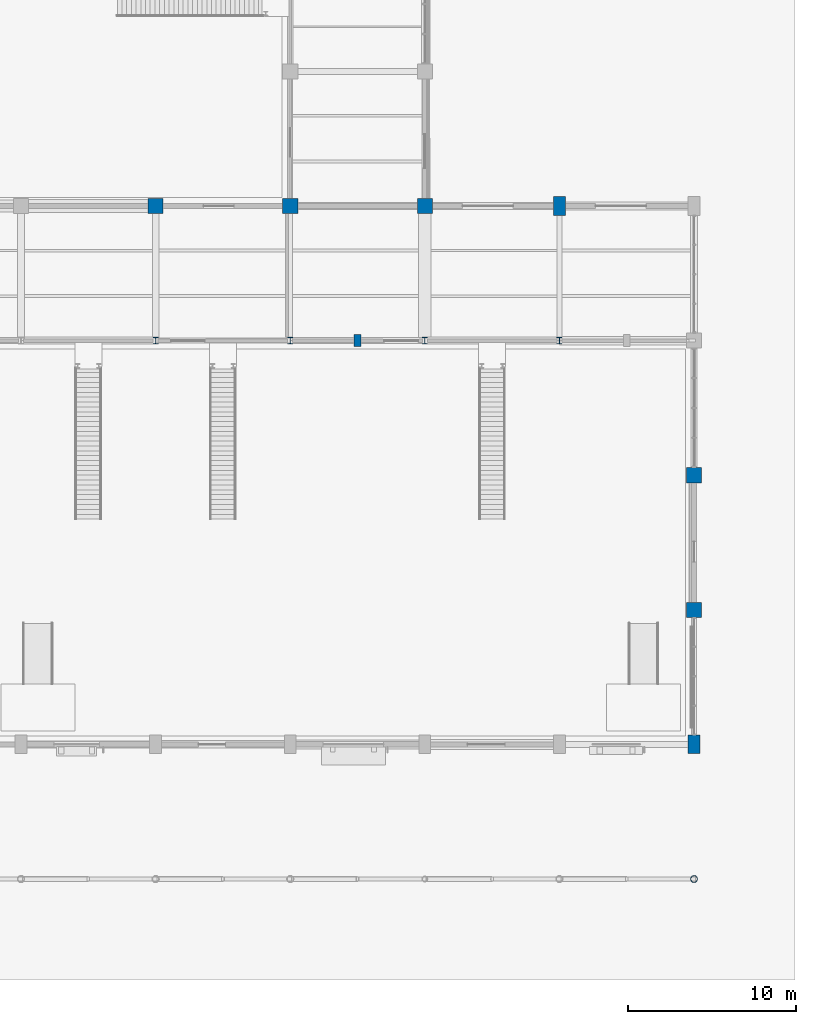
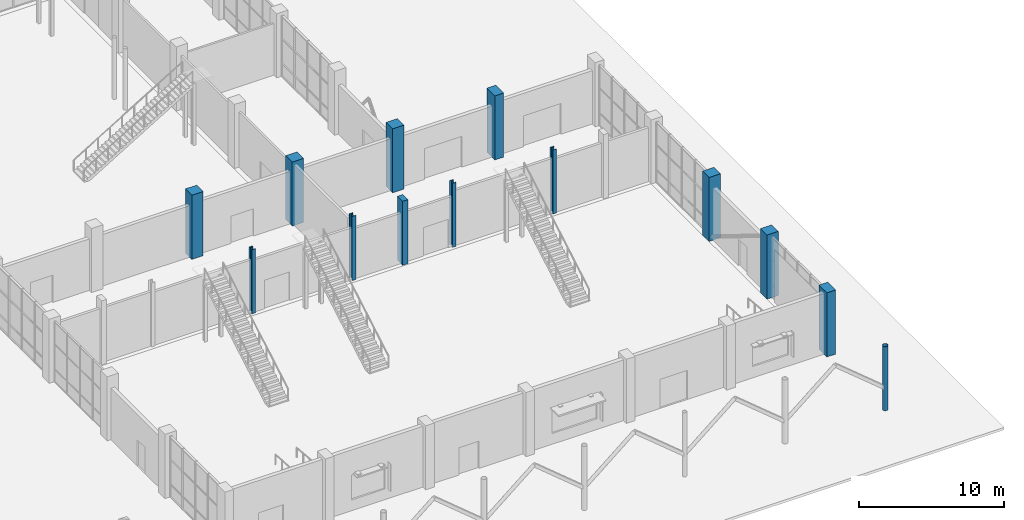
# One storey, part 14 of 123: 13 columns.
"""IFC4 building model written with IfcOpenShell, lengths in metres."""

from ifc_helpers import new_model, si_unit, direction, frame, origin, origin_2d, place, context, subcontext, project, spatial, rectangle, hollow_circle, i_section, extrude, material, material_profile, profile_set, type_object, element, save


model = new_model("IFC4")

# Units and contexts
model_context = context("Model", 3, precision=1e-05, world=origin(), true_north=direction((0.0, 1.0)))
body_context = subcontext(model_context, "Body", "Model", "MODEL_VIEW")
ifc_project = project(units=[si_unit("LENGTHUNIT", "METRE"), si_unit("AREAUNIT", "SQUARE_METRE"), si_unit("VOLUMEUNIT", "CUBIC_METRE"), si_unit("PLANEANGLEUNIT", "RADIAN"), si_unit("MASSUNIT", "GRAM", prefix="KILO")], contexts=[model_context])

# Site, building, storey
site_placement = place(None, origin())
site = spatial("IfcSite", under=ifc_project, at=site_placement, CompositionType="ELEMENT")
building_placement = place(site_placement, origin())
building = spatial("IfcBuilding", under=site, at=building_placement, Name="Tenunan Teduh Sports Hall", CompositionType="ELEMENT")
storey_placement = place(building_placement, origin())
storey = spatial("IfcBuildingStorey", under=building, at=storey_placement, Name="L00", CompositionType="ELEMENT", Elevation=0.0)

# Columns
ifc_material_1 = material(Name="Concrete C40/50", Category="concrete")
ifc_material_profile_1 = material_profile(ifc_material_1, rectangle(XDim=0.699951171875, YDim=1.10009765625, at=origin_2d()), Name="RC 700x1100")
ifc_profile_set_1 = profile_set([ifc_material_profile_1], Name="Concrete C40/50")
column_type_1 = type_object("IfcColumnType", Name="COL-RC-700x1100", PredefinedType="COLUMN", material=ifc_profile_set_1)
for number, where, z_axis, x_axis, name in (
    (1, (162.0, 46.0, 0.0), (0.0, 0.0, 1.0), (1.0, 0.0, 0.0), "COL-C-15-L00-215"),
    (2, (170.0, 14.0, 0.0), (0.0, 0.0, 1.0), (1.0, 0.0, 0.0), "COL-C-15-L00-221"),
):
    element("IfcColumn", number, at=place(storey_placement, frame(where, z_axis=z_axis, x_axis=x_axis)), inside=storey, type_object=column_type_1, Name=name, PredefinedType="COLUMN", context=body_context, shape_type="SweptSolid", body=[
        extrude(rectangle(XDim=0.699951171875, YDim=1.10009765625, at=origin_2d()), origin(), (0.0, 0.0, 1.0), 5.39990234375),
    ])
ifc_material_2 = material(Name="Concrete C40/50", Category="concrete")
ifc_material_profile_2 = material_profile(ifc_material_2, rectangle(XDim=0.89990234375, YDim=0.89990234375, at=origin_2d()), Name="RC 900x900")
ifc_profile_set_2 = profile_set([ifc_material_profile_2], Name="Concrete C40/50")
column_type_2 = type_object("IfcColumnType", Name="COL-RC-900", PredefinedType="COLUMN", material=ifc_profile_set_2)
for number, where, z_axis, x_axis, name in (
    (3, (138.0, 46.0, 0.0), (0.0, 0.0, 1.0), (1.0, 0.0, 0.0), "COL-C-03-L00-179"),
    (4, (146.0, 46.0, 0.0), (0.0, 0.0, 1.0), (1.0, 0.0, 0.0), "COL-C-03-L00-189"),
    (5, (154.0, 46.0, 0.0), (0.0, 0.0, 1.0), (1.0, 0.0, 0.0), "COL-C-03-L00-202"),
    (6, (170.0, 22.0, 0.0), (0.0, 0.0, 1.0), (1.0, 0.0, 0.0), "COL-C-03-L00-222"),
    (7, (170.0, 30.0, 0.0), (0.0, 0.0, 1.0), (1.0, 0.0, 0.0), "COL-C-03-L00-223"),
):
    element("IfcColumn", number, at=place(storey_placement, frame(where, z_axis=z_axis, x_axis=x_axis)), inside=storey, type_object=column_type_2, Name=name, PredefinedType="COLUMN", context=body_context, shape_type="SweptSolid", body=[
        extrude(rectangle(XDim=0.89990234375, YDim=0.89990234375, at=origin_2d()), origin(), (0.0, 0.0, 1.0), 5.39990234375),
    ])
ifc_material_3 = material(Name="Steel S355", Category="steel")
ifc_material_profile_3 = material_profile(ifc_material_3, hollow_circle(Radius=0.203125, WallThickness=0.01611328125, at=origin_2d()), Name="CHS 406.4x16.0")
ifc_profile_set_3 = profile_set([ifc_material_profile_3], Name="Steel S355")
column_type_3 = type_object("IfcColumnType", Name="COL-ST-CHS406", PredefinedType="COLUMN", material=ifc_profile_set_3)
column_1_placement = place(storey_placement, frame((170.0, 6.0, 0.0), z_axis=(0.0, 0.0, 1.0), x_axis=(1.0, 0.0, 0.0)))
element("IfcColumn", 8, at=column_1_placement, inside=storey, type_object=column_type_3, Name="COL-SC-05-L00-220", PredefinedType="COLUMN", context=body_context, shape_type="SweptSolid", body=[
    extrude(hollow_circle(Radius=0.203125, WallThickness=0.01611328125, at=origin_2d()), origin(), (0.0, 0.0, 1.0), 5.39990234375),
])
ifc_material_4 = material(Name="Steel S355", Category="steel")
ifc_material_profile_4 = material_profile(ifc_material_4, i_section(OverallWidth=0.300048828125, OverallDepth=0.39990234375, WebThickness=0.013427734375, FlangeThickness=0.02392578125, FilletRadius=0.027099609375, at=origin_2d()), Name="HEB 400")
ifc_profile_set_4 = profile_set([ifc_material_profile_4], Name="Steel S355")
column_type_4 = type_object("IfcColumnType", Name="COL-ST-HEB400", PredefinedType="COLUMN", material=ifc_profile_set_4)
for number, where, z_axis, x_axis, name in (
    (9, (138.0, 38.0, 0.0), (0.0, 0.0, 1.0), (1.0, 0.0, 0.0), "COL-SC-01-L00-178"),
    (10, (146.0, 38.0, 0.0), (0.0, 0.0, 1.0), (1.0, 0.0, 0.0), "COL-SC-01-L00-188"),
    (11, (154.0, 38.0, 0.0), (0.0, 0.0, 1.0), (1.0, 0.0, 0.0), "COL-SC-01-L00-201"),
    (12, (162.0, 38.0, 0.0), (0.0, 0.0, 1.0), (1.0, 0.0, 0.0), "COL-SC-01-L00-214"),
):
    element("IfcColumn", number, at=place(storey_placement, frame(where, z_axis=z_axis, x_axis=x_axis)), inside=storey, type_object=column_type_4, Name=name, PredefinedType="COLUMN", context=body_context, shape_type="SweptSolid", body=[
        extrude(i_section(OverallWidth=0.300048828125, OverallDepth=0.39990234375, WebThickness=0.013427734375, FlangeThickness=0.02392578125, FilletRadius=0.027099609375, at=origin_2d()), origin(), (0.0, 0.0, 1.0), 5.39990234375),
    ])
ifc_material_5 = material(Name="Concrete C40/50", Category="concrete")
ifc_material_profile_5 = material_profile(ifc_material_5, rectangle(XDim=0.39990234375, YDim=0.699951171875, at=origin_2d()), Name="PIL 400x700")
ifc_profile_set_5 = profile_set([ifc_material_profile_5], Name="Concrete C40/50")
column_type_5 = type_object("IfcColumnType", Name="PIL-400x700", PredefinedType="PILASTER", material=ifc_profile_set_5)
column_2_placement = place(storey_placement, frame((150.0, 38.0, 0.0), z_axis=(0.0, 0.0, 1.0), x_axis=(1.0, 0.0, 0.0)))
element("IfcColumn", 13, at=column_2_placement, inside=storey, type_object=column_type_5, Name="PIL-PL-C2-L00-05", PredefinedType="PILASTER", context=body_context, shape_type="SweptSolid", body=[
    extrude(rectangle(XDim=0.39990234375, YDim=0.699951171875, at=origin_2d()), origin(), (0.0, 0.0, 1.0), 5.39990234375),
])

save(model, "model.ifc")
